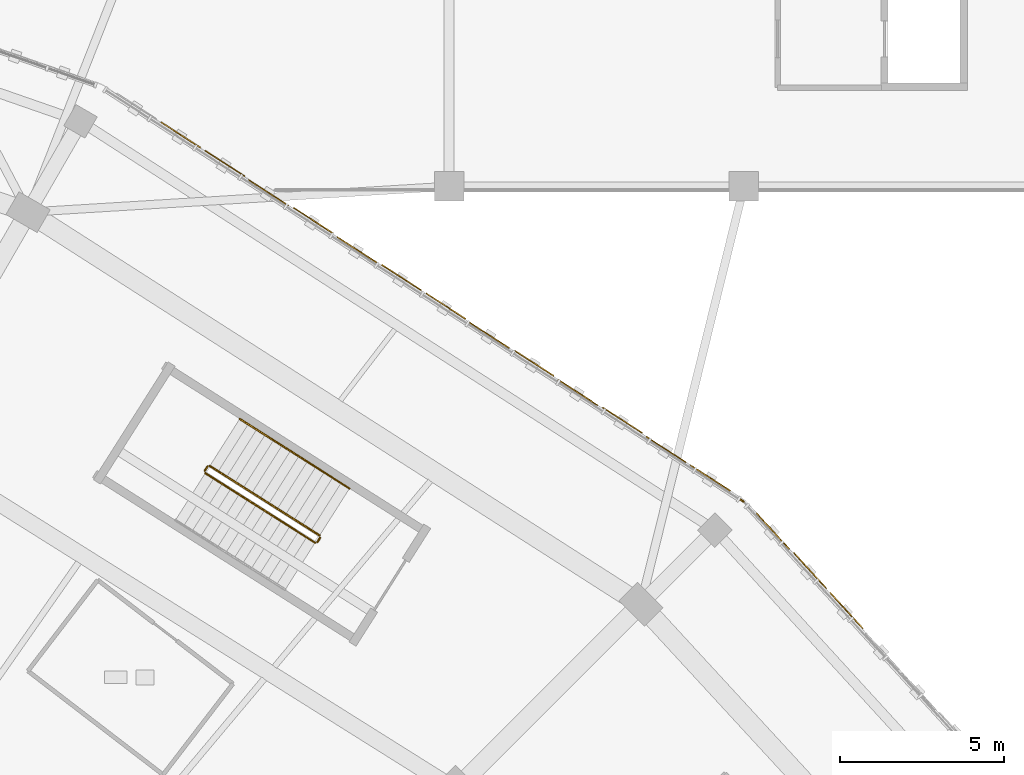
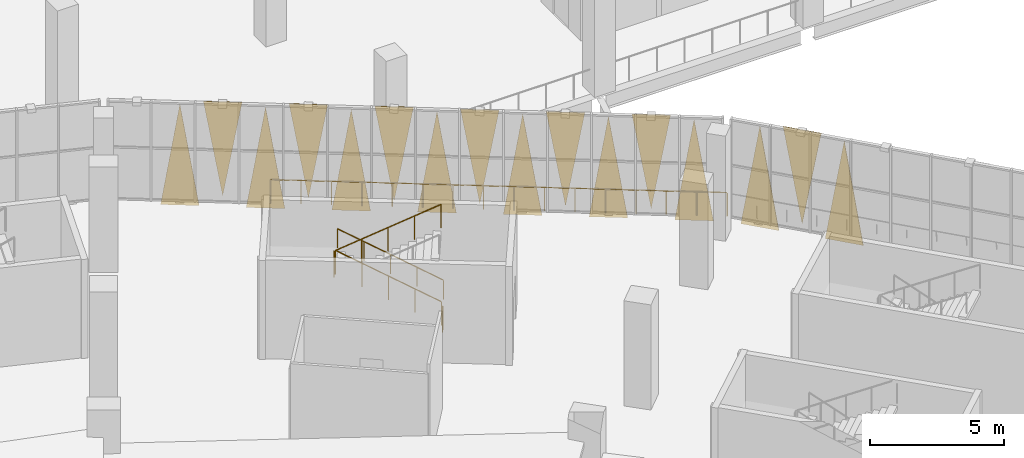
# One storey, part 176 of 183: 16 coverings, 6 railings.
"""IFC4 building model written with IfcOpenShell, lengths in metres."""

from ifc_helpers import new_model, si_unit, direction, frame, origin, origin_2d, place, context, subcontext, project, spatial, polyline, circle, outline, extrude, material, layer, layer_set, type_object, element, save


model = new_model("IFC4")

# Units and contexts
model_context = context("Model", 3, precision=1e-05, world=origin(), true_north=direction((0.0, 1.0)))
body_context = subcontext(model_context, "Body", "Model", "MODEL_VIEW")
ifc_project = project(units=[si_unit("LENGTHUNIT", "METRE"), si_unit("AREAUNIT", "SQUARE_METRE"), si_unit("VOLUMEUNIT", "CUBIC_METRE"), si_unit("PLANEANGLEUNIT", "RADIAN"), si_unit("MASSUNIT", "GRAM", prefix="KILO")], contexts=[model_context])

# Site, building, storey
site_placement = place(None, origin())
site = spatial("IfcSite", under=ifc_project, at=site_placement, CompositionType="ELEMENT")
building_placement = place(site_placement, origin())
building = spatial("IfcBuilding", under=site, at=building_placement, Name="Zevraka Park Crest Stadium", CompositionType="ELEMENT")
storey_placement = place(building_placement, frame((0.0, 0.0, 5.39990234375)))
storey = spatial("IfcBuildingStorey", under=building, at=storey_placement, Name="L01", CompositionType="ELEMENT", Elevation=5.39990234375)

# Coverings
ifc_material_1 = material(Name="Architectural golden-bronze perforated aluminium", Category="aluminium")
ifc_layer = layer(ifc_material_1, 0.034912109375)
ifc_layer_set = layer_set([ifc_layer], Name="Architectural golden-bronze perforated aluminium")
covering_type = type_object("IfcCoveringType", Name="CLD01", PredefinedType="CLADDING", material=ifc_layer_set)
covering_1_placement = place(storey_placement, frame((182.6201171875, 144.492919921875, -0.260009765625), z_axis=(-0.738850373416, -0.673869514256, 5.8819423e-05), x_axis=(-0.673869515422, 0.738850374694, 0.0)))
element("IfcCovering", 1, at=covering_1_placement, inside=storey, type_object=covering_type, Name="Triangular Golden-Bronze Perforated Cladding L01-02-11", PredefinedType="CLADDING", context=body_context, shape_type="SweptSolid", body=[
    extrude(outline(polyline([(0.0, 0.0), (1.4915750454979064, 0.0), (0.7455407443619579, -4.600097664207535), (0.0, 0.0)])), origin(), (0.0, 0.0, -1.0), 0.034912109375),
])
covering_2_placement = place(storey_placement, frame((180.5029296875, 146.81494140625, 4.5), z_axis=(-0.738850370592, -0.673869511681, 0.00010536942), x_axis=(0.673869515422, -0.738850374694, 0.0)))
element("IfcCovering", 2, at=covering_2_placement, inside=storey, type_object=covering_type, Name="Triangular Golden-Bronze Perforated Cladding L01-02-12", PredefinedType="CLADDING", context=body_context, shape_type="SweptSolid", body=[
    extrude(outline(polyline([(0.0, 0.0), (1.4915750454979064, -1.3552527156068805e-20), (0.7453762254372943, -4.279785180008618), (0.0, 0.0)])), origin(), (0.0, 0.0, -1.0), 0.034912109375),
])
covering_3_placement = place(storey_placement, frame((180.39501953125, 146.93310546875, -0.260009765625), z_axis=(0.739183652813, 0.673503917653, 1.7872411e-05), x_axis=(-0.673503917761, 0.739183652931, 0.0)))
element("IfcCovering", 3, at=covering_3_placement, inside=storey, type_object=covering_type, Name="Triangular Golden-Bronze Perforated Cladding L01-02-13", PredefinedType="CLADDING", context=body_context, shape_type="SweptSolid", body=[
    extrude(outline(polyline([(0.0, 0.0), (1.4905722498806995, 0.0), (0.7451958925608415, 4.600097656984689), (0.0, 0.0)])), origin(), (0.0, 0.0, -1.0), 0.034912109375),
])
covering_4_placement = place(storey_placement, frame((178.589111328125, 148.715087890625, -0.260009765625), z_axis=(0.542438504887, 0.840095510683, 3.668756e-05), x_axis=(-0.840095511248, 0.542438505252, 0.0)))
element("IfcCovering", 4, at=covering_4_placement, inside=storey, type_object=covering_type, Name="Triangular Golden-Bronze Perforated Cladding L01-03-1", PredefinedType="CLADDING", context=body_context, shape_type="SweptSolid", body=[
    extrude(outline(polyline([(0.0, 0.0), (1.4452063031746218, 0.0), (0.7226394866710507, 4.6000976593458125), (0.0, 0.0)])), origin(), (0.0, 0.0, -1.0), 0.034912109375),
])
covering_5_placement = place(storey_placement, frame((176.02587890625, 150.3701171875, 4.5), z_axis=(0.542557713856, 0.84001852771, 1.547512e-05), x_axis=(0.840018527811, -0.542557713921, 0.0)))
element("IfcCovering", 5, at=covering_5_placement, inside=storey, type_object=covering_type, Name="Triangular Golden-Bronze Perforated Cladding L01-03-2", PredefinedType="CLADDING", context=body_context, shape_type="SweptSolid", body=[
    extrude(outline(polyline([(0.0, 0.0), (1.4453387490028242, 0.0), (0.7227719158256077, 4.27978515676246), (0.0, 0.0)])), origin(), (0.0, 0.0, -1.0), 0.034912109375),
])
covering_6_placement = place(storey_placement, frame((175.89208984375, 150.45703125, -0.260009765625), z_axis=(-0.542438505235, -0.840095511222, 7.898764e-06), x_axis=(-0.840095511248, 0.542438505252, 0.0)))
element("IfcCovering", 6, at=covering_6_placement, inside=storey, type_object=covering_type, Name="Triangular Golden-Bronze Perforated Cladding L01-03-3", PredefinedType="CLADDING", context=body_context, shape_type="SweptSolid", body=[
    extrude(outline(polyline([(0.0, 0.0), (1.4452063031746218, 0.0), (0.722771917946747, -4.600097656393501), (0.0, 0.0)])), origin(), (0.0, 0.0, -1.0), 0.034912109375),
])
covering_7_placement = place(storey_placement, frame((173.3291015625, 152.112060546875, 4.5), z_axis=(0.542803310418, 0.839859848457, 3.3891219e-05), x_axis=(0.83985984894, -0.54280331073, 0.0)))
element("IfcCovering", 7, at=covering_7_placement, inside=storey, type_object=covering_type, Name="Triangular Golden-Bronze Perforated Cladding L01-03-4", PredefinedType="CLADDING", context=body_context, shape_type="SweptSolid", body=[
    extrude(outline(polyline([(0.0, 0.0), (1.4464839003003545, 0.0), (0.7225668216542449, 4.279785158707912), (0.0, 0.0)])), origin(), (0.0, 0.0, -1.0), 0.034912109375),
])
covering_8_placement = place(storey_placement, frame((173.195068359375, 152.197998046875, -0.260009765625), z_axis=(-0.542915140766, -0.839787556775, 9.7017903e-05), x_axis=(-0.839787560727, 0.542915143322, 0.0)))
element("IfcCovering", 8, at=covering_8_placement, inside=storey, type_object=covering_type, Name="Triangular Golden-Bronze Perforated Cladding L01-03-5", PredefinedType="CLADDING", context=body_context, shape_type="SweptSolid", body=[
    extrude(outline(polyline([(0.0, 0.0), (1.4457362610535034, -1.3552527156068805e-20), (0.7233020127627544, -4.600097677899149), (0.0, 0.0)])), origin(), (0.0, 0.0, -1.0), 0.034912109375),
])
covering_9_placement = place(storey_placement, frame((170.633056640625, 153.85400390625, 4.5), z_axis=(0.542992143758, 0.839737772554, 7.1854344e-05), x_axis=(0.839737774722, -0.542992145159, 0.0)))
element("IfcCovering", 9, at=covering_9_placement, inside=storey, type_object=covering_type, Name="Triangular Golden-Bronze Perforated Cladding L01-03-6", PredefinedType="CLADDING", context=body_context, shape_type="SweptSolid", body=[
    extrude(outline(polyline([(0.0, 0.0), (1.4455312408705225, -6.776263578034403e-21), (0.7225667707727274, 4.279785167298367), (0.0, 0.0)])), origin(), (0.0, 0.0, -1.0), 0.034912109375),
])
covering_10_placement = place(storey_placement, frame((170.498046875, 153.93994140625, -0.260009765625), z_axis=(-0.543034218025, -0.839710561642, 0.000103541993), x_axis=(-0.839710566143, 0.543034220936, 0.0)))
element("IfcCovering", 10, at=covering_10_placement, inside=storey, type_object=covering_type, Name="Triangular Golden-Bronze Perforated Cladding L01-03-7", PredefinedType="CLADDING", context=body_context, shape_type="SweptSolid", body=[
    extrude(outline(polyline([(0.0, 0.0), (1.445868823232424, 1.3552527156068805e-20), (0.7230970613131847, -4.600097680908696), (0.0, 0.0)])), origin(), (0.0, 0.0, -1.0), 0.034912109375),
])
covering_11_placement = place(storey_placement, frame((167.93603515625, 155.595947265625, 4.5), z_axis=(-0.542992141266, -0.839737768701, 0.00011975724), x_axis=(0.839737774722, -0.542992145159, 0.0)))
element("IfcCovering", 11, at=covering_11_placement, inside=storey, type_object=covering_type, Name="Triangular Golden-Bronze Perforated Cladding L01-03-8", PredefinedType="CLADDING", context=body_context, shape_type="SweptSolid", body=[
    extrude(outline(polyline([(0.0, 0.0), (1.4455312408705225, 0.0), (0.7230970365394844, -4.279785186939905), (0.0, 0.0)])), origin(), (0.0, 0.0, -1.0), 0.034912109375),
])
covering_12_placement = place(storey_placement, frame((167.801025390625, 155.681884765625, -0.260009765625), z_axis=(0.54303421942, 0.839710563799, 7.472158e-05), x_axis=(-0.839710566143, 0.543034220936, 0.0)))
element("IfcCovering", 12, at=covering_12_placement, inside=storey, type_object=covering_type, Name="Triangular Golden-Bronze Perforated Cladding L01-03-9", PredefinedType="CLADDING", context=body_context, shape_type="SweptSolid", body=[
    extrude(outline(polyline([(0.0, 0.0), (1.445868823232424, -6.776263578034403e-21), (0.7225667544568017, 4.600097669091896), (0.0, 0.0)])), origin(), (0.0, 0.0, -1.0), 0.034912109375),
])
covering_13_placement = place(storey_placement, frame((165.239013671875, 157.337890625, 4.5), z_axis=(-0.542992143758, -0.839737772554, 7.1854344e-05), x_axis=(0.839737774722, -0.542992145159, 0.0)))
element("IfcCovering", 13, at=covering_13_placement, inside=storey, type_object=covering_type, Name="Triangular Golden-Bronze Perforated Cladding L01-03-10", PredefinedType="CLADDING", context=body_context, shape_type="SweptSolid", body=[
    extrude(outline(polyline([(0.0, 0.0), (1.4455312408705225, -6.776263578034403e-21), (0.7229644700977951, -4.279785167298367), (0.0, 0.0)])), origin(), (0.0, 0.0, -1.0), 0.034912109375),
])
covering_14_placement = place(storey_placement, frame((165.10498046875, 157.424072265625, -0.260009765625), z_axis=(0.542607308254, 0.839986492435, 3.9456956e-05), x_axis=(-0.839986493089, 0.542607308676, 0.0)))
element("IfcCovering", 14, at=covering_14_placement, inside=storey, type_object=covering_type, Name="Triangular Golden-Bronze Perforated Cladding L01-03-11", PredefinedType="CLADDING", context=body_context, shape_type="SweptSolid", body=[
    extrude(outline(polyline([(0.0, 0.0), (1.446556463255764, 6.776263578034403e-21), (0.7224343633406721, 4.600097659830834), (0.0, 0.0)])), origin(), (0.0, 0.0, -1.0), 0.034912109375),
])
covering_15_placement = place(storey_placement, frame((162.5419921875, 159.0791015625, 4.5), z_axis=(-0.542557713856, -0.84001852771, 1.547512e-05), x_axis=(0.840018527811, -0.542557713921, 0.0)))
element("IfcCovering", 15, at=covering_15_placement, inside=storey, type_object=covering_type, Name="Triangular Golden-Bronze Perforated Cladding L01-03-12", PredefinedType="CLADDING", context=body_context, shape_type="SweptSolid", body=[
    extrude(outline(polyline([(0.0, 0.0), (1.4453387490028242, 0.0), (0.7225668331772165, -4.27978515676246), (0.0, 0.0)])), origin(), (0.0, 0.0, -1.0), 0.034912109375),
])
covering_16_placement = place(storey_placement, frame((162.407958984375, 159.166015625, -0.260009765625), z_axis=(-0.542515495799, -0.840045794181, 2.2291843e-05), x_axis=(-0.840045794389, 0.542515495934, 0.0)))
element("IfcCovering", 16, at=covering_16_placement, inside=storey, type_object=covering_type, Name="Triangular Golden-Bronze Perforated Cladding L01-03-13", PredefinedType="CLADDING", context=body_context, shape_type="SweptSolid", body=[
    extrude(outline(polyline([(0.0, 0.0), (1.4450012077999679, 0.0), (0.7225668289361087, -4.600097657392954), (0.0, 0.0)])), origin(), (0.0, 0.0, -1.0), 0.034912109375),
])

# Railings
ifc_material_2 = material(Name="Galvanised and bronze-finished steel balustrade", Category="steel")
railing_type_1 = type_object("IfcRailingType", Name="GR01", PredefinedType="GUARDRAIL", material=ifc_material_2)
railing_1_placement = place(storey_placement, frame((164.616943359375, 157.656005859375, 0.0)))
element("IfcRailing", 17, at=railing_1_placement, inside=storey, type_object=railing_type_1, Name="Deck Edge Protection Guardrail GR01 L01-18", PredefinedType="GUARDRAIL", context=body_context, shape_type="SweptSolid", body=[
    extrude(circle(Radius=0.02392578125, at=origin_2d()), frame((0.0, 0.0, 1.076171875), z_axis=(0.839996018414, -0.542592562655, 0.0), x_axis=(0.542592562655, 0.839996018414, 0.0)), (0.0, 0.0, 1.0), 17.108642578125),
    extrude(circle(Radius=0.02099609375, at=origin_2d()), origin(), (0.0, 0.0, 1.0), 1.052001953125),
    extrude(circle(Radius=0.02099609375, at=origin_2d()), frame((0.9580078125, -0.618896484375, 0.0)), (0.0, 0.0, 1.0), 1.052001953125),
    extrude(circle(Radius=0.02099609375, at=origin_2d()), frame((1.916259765625, -1.23779296875, 0.0)), (0.0, 0.0, 1.0), 1.052001953125),
    extrude(circle(Radius=0.02099609375, at=origin_2d()), frame((2.874267578125, -1.856689453125, 0.0)), (0.0, 0.0, 1.0), 1.052001953125),
    extrude(circle(Radius=0.02099609375, at=origin_2d()), frame((3.832275390625, -2.475341796875, 0.0)), (0.0, 0.0, 1.0), 1.052001953125),
    extrude(circle(Radius=0.02099609375, at=origin_2d()), frame((4.790283203125, -3.09423828125, 0.0)), (0.0, 0.0, 1.0), 1.052001953125),
    extrude(circle(Radius=0.02099609375, at=origin_2d()), frame((5.74853515625, -3.713134765625, 0.0)), (0.0, 0.0, 1.0), 1.052001953125),
    extrude(circle(Radius=0.02099609375, at=origin_2d()), frame((6.70654296875, -4.33203125, 0.0)), (0.0, 0.0, 1.0), 1.052001953125),
    extrude(circle(Radius=0.02099609375, at=origin_2d()), frame((7.66455078125, -4.950927734375, 0.0)), (0.0, 0.0, 1.0), 1.052001953125),
    extrude(circle(Radius=0.02099609375, at=origin_2d()), frame((8.62255859375, -5.56982421875, 0.0)), (0.0, 0.0, 1.0), 1.052001953125),
    extrude(circle(Radius=0.02099609375, at=origin_2d()), frame((9.580810546875, -6.188720703125, 0.0)), (0.0, 0.0, 1.0), 1.052001953125),
    extrude(circle(Radius=0.02099609375, at=origin_2d()), frame((10.538818359375, -6.8076171875, 0.0)), (0.0, 0.0, 1.0), 1.052001953125),
    extrude(circle(Radius=0.02099609375, at=origin_2d()), frame((11.496826171875, -7.42626953125, 0.0)), (0.0, 0.0, 1.0), 1.052001953125),
    extrude(circle(Radius=0.02099609375, at=origin_2d()), frame((12.454833984375, -8.045166015625, 0.0)), (0.0, 0.0, 1.0), 1.052001953125),
    extrude(circle(Radius=0.02099609375, at=origin_2d()), frame((13.4130859375, -8.6640625, 0.0)), (0.0, 0.0, 1.0), 1.052001953125),
    extrude(circle(Radius=0.02099609375, at=origin_2d()), frame((14.37109375, -9.282958984375, 0.0)), (0.0, 0.0, 1.0), 1.052001953125),
])
ifc_material_3 = material(Name="Powder-coated tubular steel stairwell guard", Category="steel")
railing_type_2 = type_object("IfcRailingType", Name="GR03", PredefinedType="GUARDRAIL", material=ifc_material_3)
railing_2_placement = place(storey_placement, frame((166.047607421875, 147.342529296875, 0.171630859375)))
element("IfcRailing", 18, at=railing_2_placement, inside=storey, type_object=railing_type_2, Name="L01 ST04 stair guard 1", PredefinedType="GUARDRAIL", context=body_context, shape_type="SweptSolid", body=[
    extrude(circle(Radius=0.02392578125, at=origin_2d()), frame((0.0, 0.0, 1.076171875), z_axis=(-0.736098358432, 0.467025799673, 0.489945006254), x_axis=(-0.53573158449, -0.844388340386, 0.0)), (0.0, 0.0, 1.0), 4.548583984375),
    extrude(circle(Radius=0.02099609375, at=origin_2d()), origin(), (0.0, 0.0, 1.0), 1.052001953125),
    extrude(circle(Radius=0.02099609375, at=origin_2d()), frame((-0.8369140625, 0.531005859375, 0.55712890625)), (0.0, 0.0, 1.0), 1.052001953125),
    extrude(circle(Radius=0.02099609375, at=origin_2d()), frame((-1.674072265625, 1.06201171875, 1.1142578125)), (0.0, 0.0, 1.0), 1.052001953125),
    extrude(circle(Radius=0.02099609375, at=origin_2d()), frame((-2.51123046875, 1.59326171875, 1.67138671875)), (0.0, 0.0, 1.0), 1.052001953125),
    extrude(circle(Radius=0.02099609375, at=origin_2d()), frame((-3.34814453125, 2.124267578125, 2.228515625)), (0.0, 0.0, 1.0), 1.052001953125),
])
railing_3_placement = place(storey_placement, frame((162.63037109375, 149.451171875, 2.400146484375)))
element("IfcRailing", 19, at=railing_3_placement, inside=storey, type_object=railing_type_2, Name="L01 ST04 stair guard 2", PredefinedType="GUARDRAIL", context=body_context, shape_type="SweptSolid", body=[
    extrude(circle(Radius=0.02392578125, at=origin_2d()), frame((0.0, 0.0, 1.076171875), z_axis=(-0.535887230789, -0.844289568736, 0.0), x_axis=(0.844289568736, -0.535887230789, 0.0)), (0.0, 0.0, 1.0), 0.159912109375),
    extrude(circle(Radius=0.02099609375, at=origin_2d()), origin(), (0.0, 0.0, 1.0), 1.052001953125),
    extrude(circle(Radius=0.02099609375, at=origin_2d()), frame((-0.085693359375, -0.135009765625, 0.0)), (0.0, 0.0, 1.0), 1.052001953125),
])
railing_4_placement = place(storey_placement, frame((162.56005859375, 149.2470703125, 2.571533203125)))
element("IfcRailing", 20, at=railing_4_placement, inside=storey, type_object=railing_type_2, Name="L01 ST04 stair guard 3", PredefinedType="GUARDRAIL", context=body_context, shape_type="SweptSolid", body=[
    extrude(circle(Radius=0.02392578125, at=origin_2d()), frame((0.0, 0.0, 1.076171875), z_axis=(0.736116810277, -0.466983830349, 0.48995728775), x_axis=(0.535687682518, 0.84441619288, 0.0)), (0.0, 0.0, 1.0), 4.54833984375),
    extrude(circle(Radius=0.02099609375, at=origin_2d()), origin(), (0.0, 0.0, 1.0), 1.052001953125),
    extrude(circle(Radius=0.02099609375, at=origin_2d()), frame((0.8369140625, -0.531005859375, 0.55712890625)), (0.0, 0.0, 1.0), 1.052001953125),
    extrude(circle(Radius=0.02099609375, at=origin_2d()), frame((1.674072265625, -1.06201171875, 1.1142578125)), (0.0, 0.0, 1.0), 1.052001953125),
    extrude(circle(Radius=0.02099609375, at=origin_2d()), frame((2.51123046875, -1.593017578125, 1.67138671875)), (0.0, 0.0, 1.0), 1.052001953125),
    extrude(circle(Radius=0.02099609375, at=origin_2d()), frame((3.34814453125, -2.1240234375, 2.228515625)), (0.0, 0.0, 1.0), 1.052001953125),
])
railing_5_placement = place(storey_placement, frame((166.06298828125, 147.273681640625, 0.0)))
element("IfcRailing", 21, at=railing_5_placement, inside=storey, type_object=railing_type_2, Name="L01 ST04 stair guard 4", PredefinedType="GUARDRAIL", context=body_context, shape_type="SweptSolid", body=[
    extrude(circle(Radius=0.02392578125, at=origin_2d()), frame((0.0, 0.0, 1.076171875), z_axis=(-0.535197175111, -0.844727165275, 0.0), x_axis=(0.844727165275, -0.535197175111, 0.0)), (0.0, 0.0, 1.0), 0.16015625),
    extrude(circle(Radius=0.02099609375, at=origin_2d()), origin(), (0.0, 0.0, 1.0), 1.052001953125),
    extrude(circle(Radius=0.02099609375, at=origin_2d()), frame((-0.085693359375, -0.13525390625, 0.0)), (0.0, 0.0, 1.0), 1.052001953125),
])
ifc_material_4 = material(Name="Brushed stainless steel continuous handrail", Category="steel")
railing_type_3 = type_object("IfcRailingType", Name="HR01", PredefinedType="HANDRAIL", material=ifc_material_4)
railing_6_placement = place(storey_placement, frame((166.958251953125, 148.778076171875, 0.171630859375)))
element("IfcRailing", 22, at=railing_6_placement, inside=storey, type_object=railing_type_3, Name="L01 ST04 stair handrail 1", PredefinedType="HANDRAIL", context=body_context, shape_type="SweptSolid", body=[
    extrude(circle(Radius=0.02392578125, at=origin_2d()), frame((0.0, 0.0, 0.8759765625), z_axis=(-0.736116810277, 0.466983830349, 0.48995728775), x_axis=(-0.535687682518, -0.84441619288, 0.0)), (0.0, 0.0, 1.0), 4.54833984375),
    extrude(circle(Radius=0.02099609375, at=origin_2d()), origin(), (0.0, 0.0, 1.0), 0.851806640625),
    extrude(circle(Radius=0.02099609375, at=origin_2d()), frame((-0.8369140625, 0.531005859375, 0.55712890625)), (0.0, 0.0, 1.0), 0.851806640625),
    extrude(circle(Radius=0.02099609375, at=origin_2d()), frame((-1.674072265625, 1.06201171875, 1.1142578125)), (0.0, 0.0, 1.0), 0.851806640625),
    extrude(circle(Radius=0.02099609375, at=origin_2d()), frame((-2.51123046875, 1.593017578125, 1.67138671875)), (0.0, 0.0, 1.0), 0.851806640625),
    extrude(circle(Radius=0.02099609375, at=origin_2d()), frame((-3.34814453125, 2.1240234375, 2.228515625)), (0.0, 0.0, 1.0), 0.851806640625),
])

save(model, "model.ifc")
